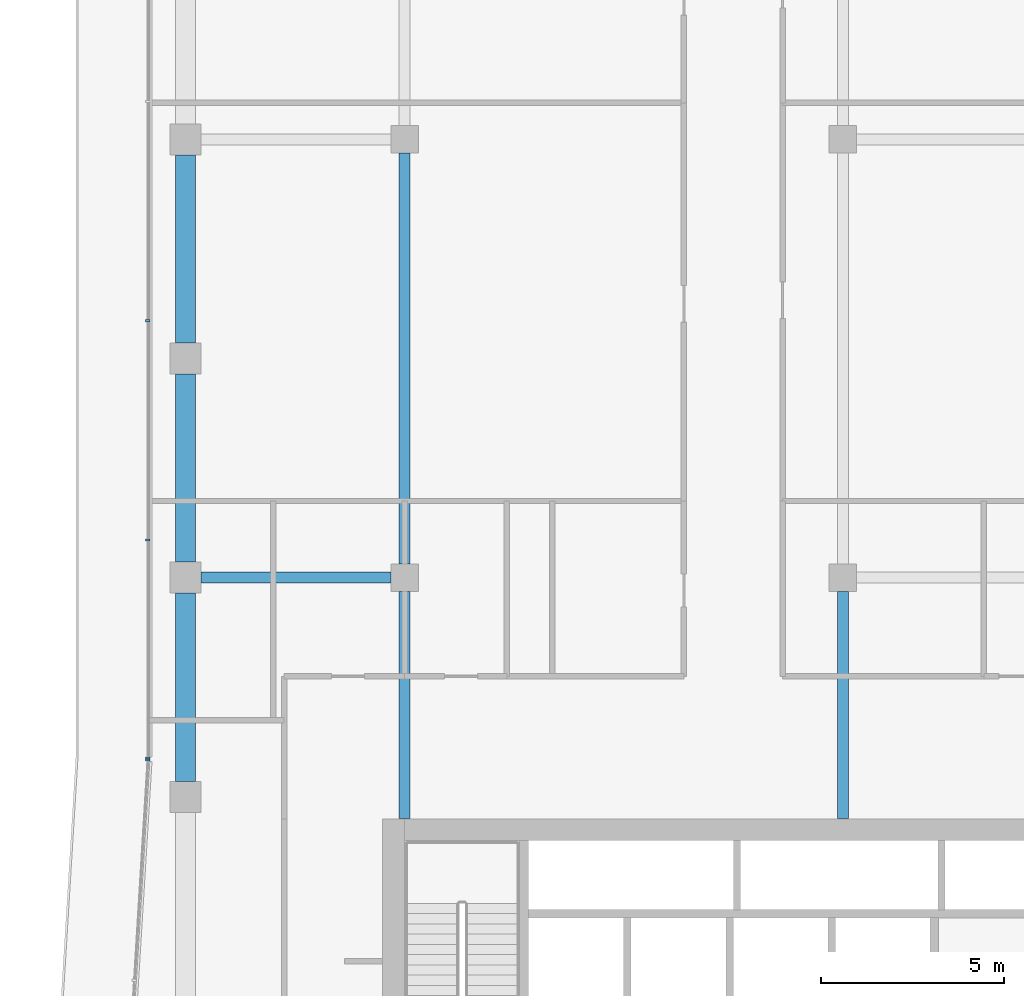
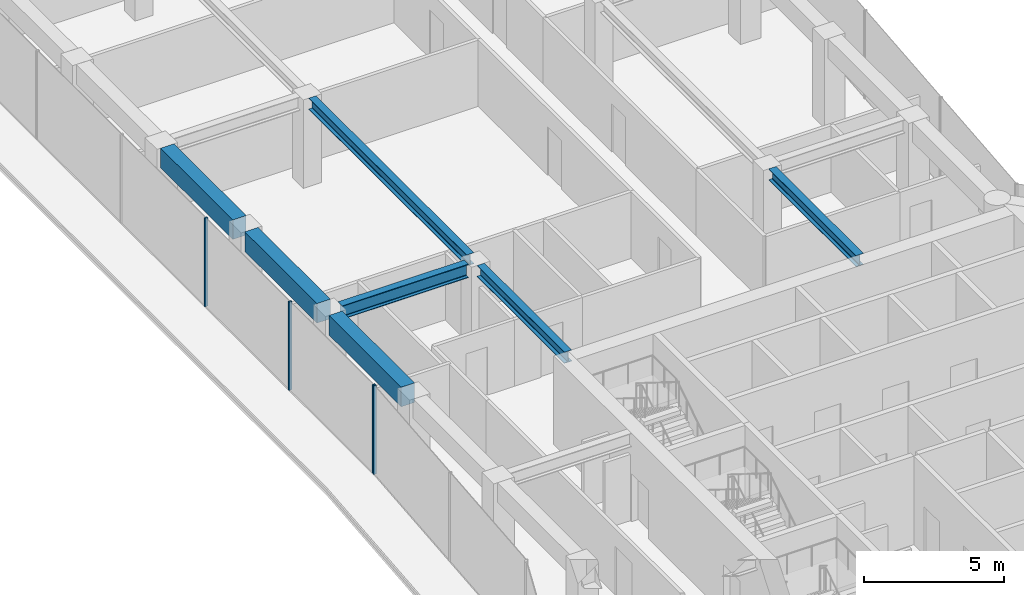
# One storey, part 8 of 22: 7 beams, 4 members, 2 elements without a shape of their own.
"""IFC4 building model written with IfcOpenShell, lengths in metres."""

from ifc_helpers import new_model, si_unit, direction, frame, origin, origin_2d, place, context, subcontext, project, spatial, rectangle, i_section, extrude, material, layer, layer_set, material_profile, profile_set, type_object, element, aggregate, save


model = new_model("IFC4")

# Units and contexts
model_context = context("Model", 3, precision=1e-05, world=origin(), true_north=direction((0.0, 1.0)))
body_context = subcontext(model_context, "Body", "Model", "MODEL_VIEW")
ifc_project = project(units=[si_unit("LENGTHUNIT", "METRE"), si_unit("AREAUNIT", "SQUARE_METRE"), si_unit("VOLUMEUNIT", "CUBIC_METRE"), si_unit("PLANEANGLEUNIT", "RADIAN"), si_unit("MASSUNIT", "GRAM", prefix="KILO")], contexts=[model_context])

# Site, building, storey
site_placement = place(None, origin())
site = spatial("IfcSite", under=ifc_project, at=site_placement, CompositionType="ELEMENT")
building_placement = place(site_placement, origin())
building = spatial("IfcBuilding", under=site, at=building_placement, Name="Welwitschia Terrace Campus", CompositionType="ELEMENT")
storey_placement = place(building_placement, frame((0.0, 0.0, 155.0)))
storey = spatial("IfcBuildingStorey", under=building, at=storey_placement, Name="L34", CompositionType="ELEMENT", Elevation=155.0)

# Beams
ifc_material_1 = material(Name="Steel S355", Category="steel")
ifc_material_profile_1 = material_profile(ifc_material_1, i_section(OverallWidth=0.300048828125, OverallDepth=0.489990234375, WebThickness=0.011962890625, FlangeThickness=0.02294921875, FilletRadius=0.027099609375, at=origin_2d()))
ifc_profile_set_1 = profile_set([ifc_material_profile_1], Name="Steel S355")
beam_type_1 = type_object("IfcBeamType", Name="Interior girder HE 500 A", PredefinedType="BEAM", material=ifc_profile_set_1)
beam_1_placement = place(storey_placement, frame((6.0, 25.40087890625, 3.60498046875), z_axis=(0.0, 1.0, 0.0), x_axis=(-1.0, 0.0, 0.0)))
element("IfcBeam", 1, at=beam_1_placement, inside=storey, type_object=beam_type_1, Name="Girder GB4", PredefinedType="BEAM", context=body_context, shape_type="SweptSolid", body=[
    extrude(i_section(OverallWidth=0.300048828125, OverallDepth=0.489990234375, WebThickness=0.011962890625, FlangeThickness=0.02294921875, FilletRadius=0.027099609375, at=origin_2d()), origin(), (0.0, 0.0, 1.0), 6.2236328125),
])
beam_2_placement = place(storey_placement, frame((6.0, 32.37548828125, 3.60498046875), z_axis=(0.0, 1.0, 0.0), x_axis=(-1.0, 0.0, 0.0)))
element("IfcBeam", 2, at=beam_2_placement, inside=storey, type_object=beam_type_1, Name="Girder GB4", PredefinedType="BEAM", context=body_context, shape_type="SweptSolid", body=[
    extrude(i_section(OverallWidth=0.300048828125, OverallDepth=0.489990234375, WebThickness=0.011962890625, FlangeThickness=0.02294921875, FilletRadius=0.027099609375, at=origin_2d()), origin(), (0.0, 0.0, 1.0), 11.2490234375),
])
beam_3_placement = place(storey_placement, frame((18.0, 25.40087890625, 3.60498046875), z_axis=(0.0, 1.0, 0.0), x_axis=(-1.0, 0.0, 0.0)))
element("IfcBeam", 3, at=beam_3_placement, inside=storey, type_object=beam_type_1, Name="Girder GB4", PredefinedType="BEAM", context=body_context, shape_type="SweptSolid", body=[
    extrude(i_section(OverallWidth=0.300048828125, OverallDepth=0.489990234375, WebThickness=0.011962890625, FlangeThickness=0.02294921875, FilletRadius=0.027099609375, at=origin_2d()), origin(), (0.0, 0.0, 1.0), 6.2236328125),
])

# Curtain wall, member
ifc_material_2 = material(Name="Bronze anodised aluminium", Category="aluminium")
ifc_layer = layer(ifc_material_2, 0.1201171875)
ifc_layer_set = layer_set([ifc_layer], Name="Bronze anodised aluminium")
curtain_wall_type = type_object("IfcCurtainWallType", Name="Curtain wall CW2 tower 6000", PredefinedType="NOTDEFINED", material=ifc_layer_set)
curtain_wall_1_placement = place(storey_placement, origin())
curtain_wall_1 = element("IfcCurtainWall", 4, at=curtain_wall_1_placement, inside=storey, type_object=curtain_wall_type, Name="CW L34.0.0", PredefinedType="NOTDEFINED")
ifc_material_3 = material(Name="Bronze anodised aluminium", Category="aluminium")
ifc_material_profile_2 = material_profile(ifc_material_3, rectangle(XDim=0.1201171875, YDim=0.06005859375, at=origin_2d()))
ifc_profile_set_2 = profile_set([ifc_material_profile_2], Name="Bronze anodised aluminium")
member_type = type_object("IfcMemberType", Name="Mullion 60x120", PredefinedType="MULLION", material=ifc_profile_set_2)
member_1_placement = place(storey_placement, frame((-1.03173828125, 27.00732421875, 0.0), z_axis=(0.0, 0.0, 1.0), x_axis=(0.998134798422, -0.061048539535, 0.0)))
member_1 = element("IfcMember", 5, at=member_1_placement, type_object=member_type, Name="Mullion L34.0.0.0", PredefinedType="MULLION", context=body_context, shape_type="SweptSolid", body=[
    extrude(rectangle(XDim=0.1201171875, YDim=0.06005859375, at=origin_2d()), origin(), (0.0, 0.0, 1.0), 3.85009765625),
])
aggregate(curtain_wall_1, [member_1])

# Curtain wall, members
curtain_wall_2_placement = place(storey_placement, origin())
curtain_wall_2 = element("IfcCurtainWall", 6, at=curtain_wall_2_placement, inside=storey, type_object=curtain_wall_type, Name="CW L34.11.0", PredefinedType="NOTDEFINED")
member_2_placement = place(storey_placement, frame((-1.030029296875, 39.03466796875, 0.0), z_axis=(0.0, 0.0, 1.0), x_axis=(1.0, 0.0, 0.0)))
member_2 = element("IfcMember", 7, at=member_2_placement, type_object=member_type, Name="Mullion L34.11.0.4", PredefinedType="MULLION", context=body_context, shape_type="SweptSolid", body=[
    extrude(rectangle(XDim=0.1201171875, YDim=0.06005859375, at=origin_2d()), origin(), (0.0, 0.0, 1.0), 3.85009765625),
])
member_3_placement = place(storey_placement, frame((-1.030029296875, 33.035888671875, 0.0), z_axis=(0.0, 0.0, 1.0), x_axis=(1.0, 0.0, 0.0)))
member_3 = element("IfcMember", 8, at=member_3_placement, type_object=member_type, Name="Mullion L34.11.0.5", PredefinedType="MULLION", context=body_context, shape_type="SweptSolid", body=[
    extrude(rectangle(XDim=0.1201171875, YDim=0.06005859375, at=origin_2d()), origin(), (0.0, 0.0, 1.0), 3.85009765625),
])
member_4_placement = place(storey_placement, frame((-1.030029296875, 27.067138671875, 0.0), z_axis=(0.0, 0.0, 1.0), x_axis=(1.0, 0.0, 0.0)))
member_4 = element("IfcMember", 9, at=member_4_placement, type_object=member_type, Name="Mullion L34.11.0.6", PredefinedType="MULLION", context=body_context, shape_type="SweptSolid", body=[
    extrude(rectangle(XDim=0.1201171875, YDim=0.06005859375, at=origin_2d()), origin(), (0.0, 0.0, 1.0), 3.85009765625),
])
aggregate(curtain_wall_2, [member_2, member_3, member_4])

# Beams
ifc_material_4 = material(Name="Steel S355", Category="steel")
ifc_material_profile_3 = material_profile(ifc_material_4, i_section(OverallWidth=0.300048828125, OverallDepth=0.590087890625, WebThickness=0.012939453125, FlangeThickness=0.02490234375, FilletRadius=0.027099609375, at=origin_2d()))
ifc_profile_set_3 = profile_set([ifc_material_profile_3], Name="Steel S355")
beam_type_2 = type_object("IfcBeamType", Name="Primary beam HE 600 A", PredefinedType="BEAM", material=ifc_profile_set_3)
beam_4_placement = place(storey_placement, frame((0.425537109375, 32.0, 3.554931640625), z_axis=(1.0, 0.0, 0.0), x_axis=(0.0, 1.0, 0.0)))
element("IfcBeam", 10, at=beam_4_placement, inside=storey, type_object=beam_type_2, Name="Primary beam PB4", PredefinedType="BEAM", context=body_context, shape_type="SweptSolid", body=[
    extrude(i_section(OverallWidth=0.300048828125, OverallDepth=0.590087890625, WebThickness=0.012939453125, FlangeThickness=0.02490234375, FilletRadius=0.027099609375, at=origin_2d()), origin(), (0.0, 0.0, 1.0), 5.198974609375),
])
ifc_material_5 = material(Name="Concrete C50/60", Category="concrete")
ifc_material_profile_4 = material_profile(ifc_material_5, rectangle(XDim=0.550048828125, YDim=0.85009765625, at=origin_2d()))
ifc_profile_set_4 = profile_set([ifc_material_profile_4], Name="Concrete C50/60")
beam_type_3 = type_object("IfcBeamType", Name="Ring spandrel 550x850", PredefinedType="SPANDREL", material=ifc_profile_set_4)
for number, where, z_axis, x_axis, name in (
    (11, (0.0, 43.574462890625, 3.425048828125), (0.0, -1.0, 0.0), (1.0, 0.0, 0.0), "Spandrel SP3"),
    (12, (0.0, 37.574462890625, 3.425048828125), (0.0, -1.0, 0.0), (1.0, 0.0, 0.0), "Spandrel SP3"),
    (13, (0.0, 31.574462890625, 3.425048828125), (0.0, -1.0, 0.0), (1.0, 0.0, 0.0), "Spandrel SP3"),
):
    element("IfcBeam", number, at=place(storey_placement, frame(where, z_axis=z_axis, x_axis=x_axis)), inside=storey, type_object=beam_type_3, Name=name, PredefinedType="SPANDREL", context=body_context, shape_type="SweptSolid", body=[
        extrude(rectangle(XDim=0.550048828125, YDim=0.85009765625, at=origin_2d()), origin(), (0.0, 0.0, 1.0), 5.14892578125),
    ])

save(model, "model.ifc")
